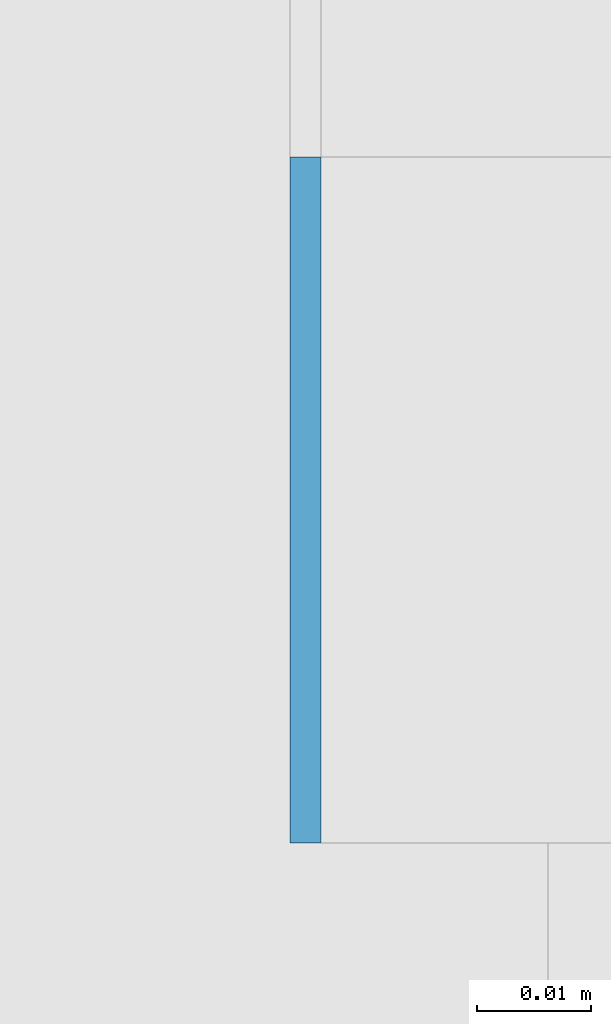
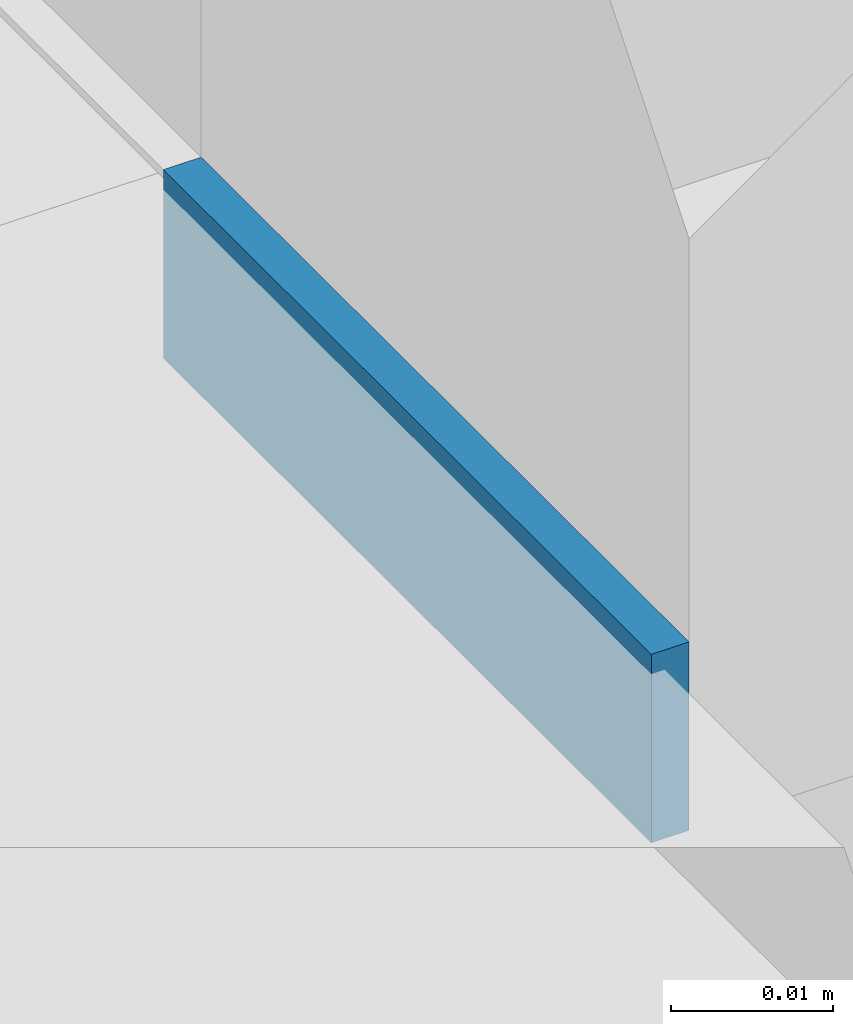
# One storey, part 540 of 646: 1 discrete accessory.
"""IFC4 building model written with IfcOpenShell, lengths in metres."""

from ifc_helpers import new_model, si_unit, direction, frame, origin, origin_2d, place, context, subcontext, project, spatial, rectangle, extrude, material, type_object, element, save


model = new_model("IFC4")

# Units and contexts
model_context = context("Model", 3, precision=1e-05, world=origin(), true_north=direction((0.0, 1.0)))
body_context = subcontext(model_context, "Body", "Model", "MODEL_VIEW")
ifc_project = project(units=[si_unit("LENGTHUNIT", "METRE"), si_unit("AREAUNIT", "SQUARE_METRE"), si_unit("VOLUMEUNIT", "CUBIC_METRE"), si_unit("PLANEANGLEUNIT", "RADIAN"), si_unit("MASSUNIT", "GRAM", prefix="KILO")], contexts=[model_context])

# Site, building, storey
site_placement = place(None, origin())
site = spatial("IfcSite", under=ifc_project, at=site_placement, CompositionType="ELEMENT")
building_placement = place(site_placement, origin())
building = spatial("IfcBuilding", under=site, at=building_placement, Name="Silverbay Arena", CompositionType="ELEMENT")
storey_placement = place(building_placement, frame((0.0, 0.0, 33.5)))
storey = spatial("IfcBuildingStorey", under=building, at=storey_placement, Name="L05", CompositionType="ELEMENT", Elevation=33.5)

# Discrete accessory
ifc_material = material(Name="Steel S355", Category="steel")
discrete_accessory_type = type_object("IfcDiscreteAccessoryType", Name="Steel bracket plate", PredefinedType="BRACKET", material=ifc_material)
discrete_accessory_placement = place(storey_placement, frame((207.128662109375, 89.969970703125, 4.0), z_axis=(0.0, 0.0, 1.0), x_axis=(1.0, 0.0, 0.0)))
element("IfcDiscreteAccessory", 1, at=discrete_accessory_placement, inside=storey, type_object=discrete_accessory_type, Name="Curtain wall packing plate", PredefinedType="BRACKET", context=body_context, shape_type="SweptSolid", body=[
    extrude(rectangle(XDim=0.002685546875, YDim=0.06005859375, at=origin_2d()), origin(), (0.0, 0.0, 1.0), 0.01416015625),
])

save(model, "model.ifc")
